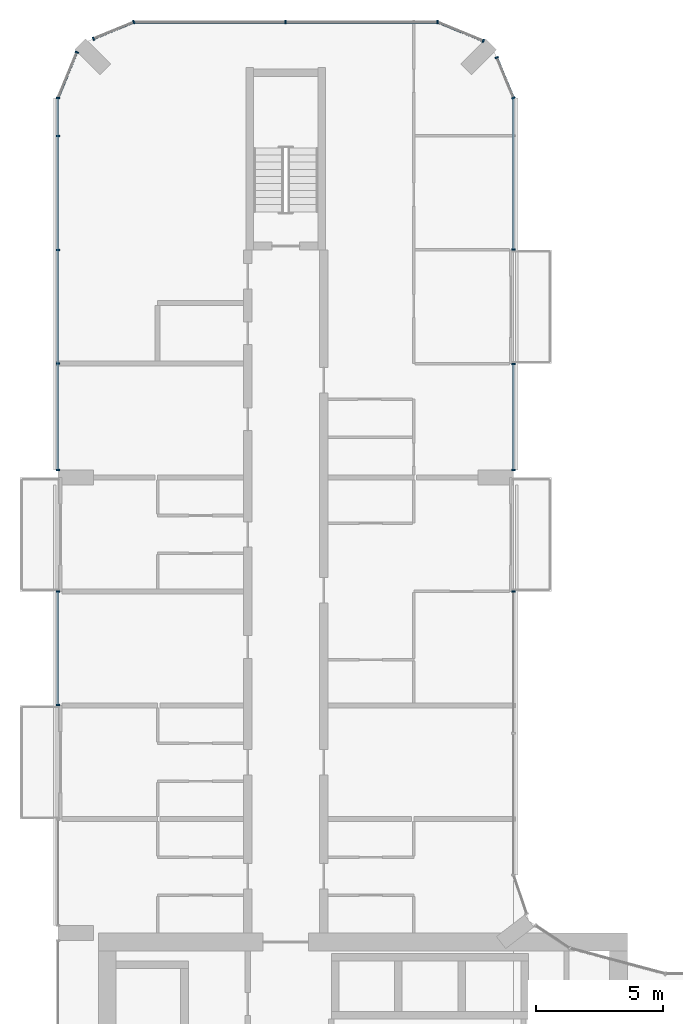
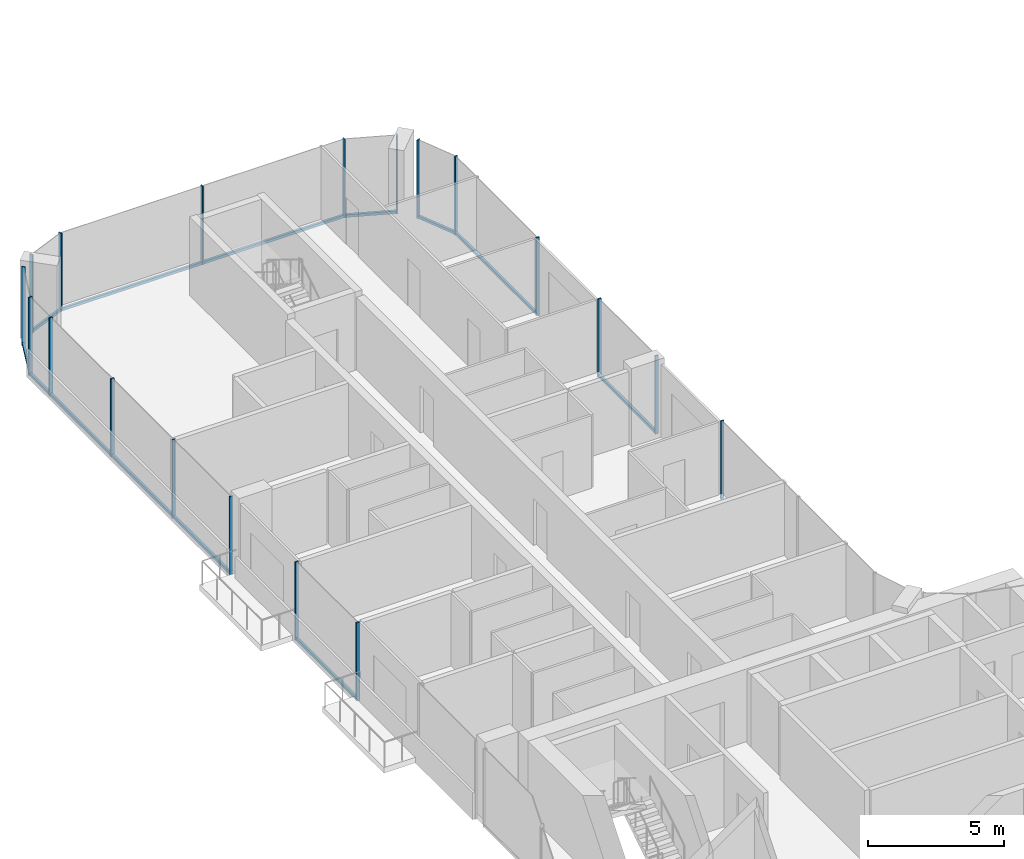
# One storey, part 6 of 23: 28 members, 10 elements without a shape of their own.
"""IFC4 building model written with IfcOpenShell, lengths in metres."""

from ifc_helpers import new_model, si_unit, direction, frame, origin, origin_2d, place, context, subcontext, project, spatial, rectangle, extrude, material, layer, layer_set, material_profile, profile_set, type_object, element, aggregate, save


model = new_model("IFC4")

# Units and contexts
model_context = context("Model", 3, precision=1e-05, world=origin(), true_north=direction((0.0, 1.0)))
body_context = subcontext(model_context, "Body", "Model", "MODEL_VIEW")
ifc_project = project(units=[si_unit("LENGTHUNIT", "METRE"), si_unit("AREAUNIT", "SQUARE_METRE"), si_unit("VOLUMEUNIT", "CUBIC_METRE"), si_unit("PLANEANGLEUNIT", "RADIAN"), si_unit("MASSUNIT", "GRAM", prefix="KILO")], contexts=[model_context])

# Site, building, storey
site_placement = place(None, origin())
site = spatial("IfcSite", under=ifc_project, at=site_placement, CompositionType="ELEMENT")
building_placement = place(site_placement, origin())
building = spatial("IfcBuilding", under=site, at=building_placement, Name="Plateau Cross Towers", CompositionType="ELEMENT")
storey_placement = place(building_placement, frame((0.0, 0.0, 92.300048828125)))
storey = spatial("IfcBuildingStorey", under=building, at=storey_placement, Name="L23", CompositionType="ELEMENT", Elevation=92.300048828125)

# Curtain wall, member
ifc_material_1 = material(Name="Dark low-iron glass", Category="glass")
ifc_layer = layer(ifc_material_1, 0.239990234375)
ifc_layer_set = layer_set([ifc_layer], Name="Dark low-iron glass")
curtain_wall_type = type_object("IfcCurtainWallType", Name="Curtain wall flush unitised CW-B", PredefinedType="NOTDEFINED", material=ifc_layer_set)
curtain_wall_1_placement = place(storey_placement, origin())
curtain_wall_1 = element("IfcCurtainWall", 1, at=curtain_wall_1_placement, inside=storey, type_object=curtain_wall_type, Name="ENV/A/L23/A180_203", PredefinedType="NOTDEFINED")
ifc_material_2 = material(Name="Black anodised aluminium", Category="aluminium")
ifc_material_profile_1 = material_profile(ifc_material_2, rectangle(XDim=0.06005859375, YDim=0.139892578125, at=origin_2d()), Name="MULLION 60x140")
ifc_profile_set_1 = profile_set([ifc_material_profile_1], Name="Black anodised aluminium")
member_type_1 = type_object("IfcMemberType", Name="Mullion 60x140 flush unitised", PredefinedType="MULLION", material=ifc_profile_set_1)
member_1_placement = place(storey_placement, frame((18.0, 31.489990234375, -0.25), z_axis=(0.0, 0.0, 1.0), x_axis=(0.0, 1.0, 0.0)))
member_1 = element("IfcMember", 2, at=member_1_placement, type_object=member_type_1, Name="CW-B mullion 3", PredefinedType="MULLION", context=body_context, shape_type="SweptSolid", body=[
    extrude(rectangle(XDim=0.06005859375, YDim=0.139892578125, at=origin_2d()), origin(), (0.0, 0.0, 1.0), 3.5),
])
aggregate(curtain_wall_1, [member_1])

# Curtain wall, members
curtain_wall_2_placement = place(storey_placement, origin())
curtain_wall_2 = element("IfcCurtainWall", 3, at=curtain_wall_2_placement, inside=storey, type_object=curtain_wall_type, Name="ENV/A/L23/A180_363", PredefinedType="NOTDEFINED")
member_2_placement = place(storey_placement, frame((18.0, 36.300048828125, -0.25), z_axis=(0.0, 0.0, 1.0), x_axis=(0.0, 1.0, 0.0)))
member_2 = element("IfcMember", 4, at=member_2_placement, type_object=member_type_1, Name="CW-B mullion 1", PredefinedType="MULLION", context=body_context, shape_type="SweptSolid", body=[
    extrude(rectangle(XDim=0.06005859375, YDim=0.139892578125, at=origin_2d()), origin(), (0.0, 0.0, 1.0), 3.5),
])
member_3_placement = place(storey_placement, frame((18.0, 40.489990234375, -0.25), z_axis=(0.0, 0.0, 1.0), x_axis=(0.0, 1.0, 0.0)))
member_3 = element("IfcMember", 5, at=member_3_placement, type_object=member_type_1, Name="CW-B mullion 2", PredefinedType="MULLION", context=body_context, shape_type="SweptSolid", body=[
    extrude(rectangle(XDim=0.06005859375, YDim=0.139892578125, at=origin_2d()), origin(), (0.0, 0.0, 1.0), 3.5),
])

# Curtain wall, member
curtain_wall_3_placement = place(storey_placement, origin())
curtain_wall_3 = element("IfcCurtainWall", 6, at=curtain_wall_3_placement, inside=storey, type_object=curtain_wall_type, Name="ENV/A/L23/A180_450", PredefinedType="NOTDEFINED")
member_4_placement = place(storey_placement, frame((18.0, 45.010009765625, -0.25), z_axis=(0.0, 0.0, 1.0), x_axis=(0.0, 1.0, 0.0)))
member_4 = element("IfcMember", 7, at=member_4_placement, type_object=member_type_1, Name="CW-B mullion 1", PredefinedType="MULLION", context=body_context, shape_type="SweptSolid", body=[
    extrude(rectangle(XDim=0.06005859375, YDim=0.139892578125, at=origin_2d()), origin(), (0.0, 0.0, 1.0), 3.5),
])

# Curtain wall, members
curtain_wall_4_placement = place(storey_placement, origin())
curtain_wall_4 = element("IfcCurtainWall", 8, at=curtain_wall_4_placement, inside=storey, type_object=curtain_wall_type, Name="ENV/A/L23/A180_510", PredefinedType="NOTDEFINED")
member_5_placement = place(storey_placement, frame((18.0, 51.0, -0.25), z_axis=(0.0, 0.0, 1.0), x_axis=(-0.382683612978, 0.923879457699, 0.0)))
member_5 = element("IfcMember", 9, at=member_5_placement, type_object=member_type_1, Name="CW-B mullion 1", PredefinedType="MULLION", context=body_context, shape_type="SweptSolid", body=[
    extrude(rectangle(XDim=0.06005859375, YDim=0.139892578125, at=origin_2d()), origin(), (0.0, 0.0, 1.0), 3.5),
])
member_6_placement = place(storey_placement, frame((17.338623046875, 52.5966796875, -0.25), z_axis=(0.0, 0.0, 1.0), x_axis=(-0.382683612978, 0.923879457699, 0.0)))
member_6 = element("IfcMember", 10, at=member_6_placement, type_object=member_type_1, Name="CW-B mullion 2", PredefinedType="MULLION", context=body_context, shape_type="SweptSolid", body=[
    extrude(rectangle(XDim=0.06005859375, YDim=0.139892578125, at=origin_2d()), origin(), (0.0, 0.0, 1.0), 3.5),
])

# Curtain wall, member
curtain_wall_5_placement = place(storey_placement, origin())
curtain_wall_5 = element("IfcCurtainWall", 11, at=curtain_wall_5_placement, inside=storey, type_object=curtain_wall_type, Name="ENV/A/L23/A168_533", PredefinedType="NOTDEFINED")
member_7_placement = place(storey_placement, frame((16.805908203125, 53.251953125, -0.25), z_axis=(0.0, 0.0, 1.0), x_axis=(-0.923879457699, 0.382683612978, 0.0)))
member_7 = element("IfcMember", 12, at=member_7_placement, type_object=member_type_1, Name="CW-B mullion 1", PredefinedType="MULLION", context=body_context, shape_type="SweptSolid", body=[
    extrude(rectangle(XDim=0.06005859375, YDim=0.139892578125, at=origin_2d()), origin(), (0.0, 0.0, 1.0), 3.5),
])

# Curtain wall, members
curtain_wall_6_placement = place(storey_placement, origin())
curtain_wall_6 = element("IfcCurtainWall", 13, at=curtain_wall_6_placement, inside=storey, type_object=curtain_wall_type, Name="ENV/A/L23/A150_540", PredefinedType="NOTDEFINED")
member_8_placement = place(storey_placement, frame((15.0, 54.0, -0.25), z_axis=(0.0, 0.0, 1.0), x_axis=(-1.0, 0.0, 0.0)))
member_8 = element("IfcMember", 14, at=member_8_placement, type_object=member_type_1, Name="CW-B mullion 1", PredefinedType="MULLION", context=body_context, shape_type="SweptSolid", body=[
    extrude(rectangle(XDim=0.06005859375, YDim=0.139892578125, at=origin_2d()), origin(), (0.0, 0.0, 1.0), 3.5),
])
member_9_placement = place(storey_placement, frame((9.0, 54.0, -0.25), z_axis=(0.0, 0.0, 1.0), x_axis=(-1.0, 0.0, 0.0)))
member_9 = element("IfcMember", 15, at=member_9_placement, type_object=member_type_1, Name="CW-B mullion 2", PredefinedType="MULLION", context=body_context, shape_type="SweptSolid", body=[
    extrude(rectangle(XDim=0.06005859375, YDim=0.139892578125, at=origin_2d()), origin(), (0.0, 0.0, 1.0), 3.5),
])

curtain_wall_7_placement = place(storey_placement, origin())
curtain_wall_7 = element("IfcCurtainWall", 16, at=curtain_wall_7_placement, inside=storey, type_object=curtain_wall_type, Name="ENV/A/L23/A30_540", PredefinedType="NOTDEFINED")
member_10_placement = place(storey_placement, frame((3.0, 54.0, -0.25), z_axis=(0.0, 0.0, 1.0), x_axis=(-0.923879457699, -0.382683612978, 0.0)))
member_10 = element("IfcMember", 17, at=member_10_placement, type_object=member_type_1, Name="CW-B mullion 1", PredefinedType="MULLION", context=body_context, shape_type="SweptSolid", body=[
    extrude(rectangle(XDim=0.06005859375, YDim=0.139892578125, at=origin_2d()), origin(), (0.0, 0.0, 1.0), 3.5),
])
member_11_placement = place(storey_placement, frame((1.4033203125, 53.338623046875, -0.25), z_axis=(0.0, 0.0, 1.0), x_axis=(-0.923879457699, -0.382683612978, 0.0)))
member_11 = element("IfcMember", 18, at=member_11_placement, type_object=member_type_1, Name="CW-B mullion 2", PredefinedType="MULLION", context=body_context, shape_type="SweptSolid", body=[
    extrude(rectangle(XDim=0.06005859375, YDim=0.139892578125, at=origin_2d()), origin(), (0.0, 0.0, 1.0), 3.5),
])

# Curtain wall, member
curtain_wall_8_placement = place(storey_placement, origin())
curtain_wall_8 = element("IfcCurtainWall", 19, at=curtain_wall_8_placement, inside=storey, type_object=curtain_wall_type, Name="ENV/A/L23/A7_528", PredefinedType="NOTDEFINED")
member_12_placement = place(storey_placement, frame((0.748046875, 52.805908203125, -0.25), z_axis=(0.0, 0.0, 1.0), x_axis=(-0.382683612978, -0.923879457699, 0.0)))
member_12 = element("IfcMember", 20, at=member_12_placement, type_object=member_type_1, Name="CW-B mullion 1", PredefinedType="MULLION", context=body_context, shape_type="SweptSolid", body=[
    extrude(rectangle(XDim=0.06005859375, YDim=0.139892578125, at=origin_2d()), origin(), (0.0, 0.0, 1.0), 3.5),
])

# Curtain wall, members
curtain_wall_9_placement = place(storey_placement, origin())
curtain_wall_9 = element("IfcCurtainWall", 21, at=curtain_wall_9_placement, inside=storey, type_object=curtain_wall_type, Name="ENV/A/L23/A0_510", PredefinedType="NOTDEFINED")
member_13_placement = place(storey_placement, frame((0.0, 51.0, -0.25), z_axis=(0.0, 0.0, 1.0), x_axis=(0.0, -1.0, 0.0)))
member_13 = element("IfcMember", 22, at=member_13_placement, type_object=member_type_1, Name="CW-B mullion 1", PredefinedType="MULLION", context=body_context, shape_type="SweptSolid", body=[
    extrude(rectangle(XDim=0.06005859375, YDim=0.139892578125, at=origin_2d()), origin(), (0.0, 0.0, 1.0), 3.5),
])
member_14_placement = place(storey_placement, frame((0.0, 49.5, -0.25), z_axis=(0.0, 0.0, 1.0), x_axis=(0.0, -1.0, 0.0)))
member_14 = element("IfcMember", 23, at=member_14_placement, type_object=member_type_1, Name="CW-B mullion 2", PredefinedType="MULLION", context=body_context, shape_type="SweptSolid", body=[
    extrude(rectangle(XDim=0.06005859375, YDim=0.139892578125, at=origin_2d()), origin(), (0.0, 0.0, 1.0), 3.5),
])
member_15_placement = place(storey_placement, frame((0.0, 45.0, -0.25), z_axis=(0.0, 0.0, 1.0), x_axis=(0.0, -1.0, 0.0)))
member_15 = element("IfcMember", 24, at=member_15_placement, type_object=member_type_1, Name="CW-B mullion 3", PredefinedType="MULLION", context=body_context, shape_type="SweptSolid", body=[
    extrude(rectangle(XDim=0.06005859375, YDim=0.139892578125, at=origin_2d()), origin(), (0.0, 0.0, 1.0), 3.5),
])
member_16_placement = place(storey_placement, frame((0.0, 40.5, -0.25), z_axis=(0.0, 0.0, 1.0), x_axis=(0.0, -1.0, 0.0)))
member_16 = element("IfcMember", 25, at=member_16_placement, type_object=member_type_1, Name="CW-B mullion 4", PredefinedType="MULLION", context=body_context, shape_type="SweptSolid", body=[
    extrude(rectangle(XDim=0.06005859375, YDim=0.139892578125, at=origin_2d()), origin(), (0.0, 0.0, 1.0), 3.5),
])
member_17_placement = place(storey_placement, frame((0.0, 36.300048828125, -0.25), z_axis=(0.0, 0.0, 1.0), x_axis=(0.0, -1.0, 0.0)))
member_17 = element("IfcMember", 26, at=member_17_placement, type_object=member_type_1, Name="CW-B mullion 5", PredefinedType="MULLION", context=body_context, shape_type="SweptSolid", body=[
    extrude(rectangle(XDim=0.06005859375, YDim=0.139892578125, at=origin_2d()), origin(), (0.0, 0.0, 1.0), 3.5),
])

curtain_wall_10_placement = place(storey_placement, origin())
curtain_wall_10 = element("IfcCurtainWall", 27, at=curtain_wall_10_placement, inside=storey, type_object=curtain_wall_type, Name="ENV/A/L23/A0_315", PredefinedType="NOTDEFINED")
member_18_placement = place(storey_placement, frame((0.0, 31.489990234375, -0.25), z_axis=(0.0, 0.0, 1.0), x_axis=(0.0, -1.0, 0.0)))
member_18 = element("IfcMember", 28, at=member_18_placement, type_object=member_type_1, Name="CW-B mullion 1", PredefinedType="MULLION", context=body_context, shape_type="SweptSolid", body=[
    extrude(rectangle(XDim=0.06005859375, YDim=0.139892578125, at=origin_2d()), origin(), (0.0, 0.0, 1.0), 3.5),
])
member_19_placement = place(storey_placement, frame((0.0, 27.010009765625, -0.25), z_axis=(0.0, 0.0, 1.0), x_axis=(0.0, -1.0, 0.0)))
member_19 = element("IfcMember", 29, at=member_19_placement, type_object=member_type_1, Name="CW-B mullion 2", PredefinedType="MULLION", context=body_context, shape_type="SweptSolid", body=[
    extrude(rectangle(XDim=0.06005859375, YDim=0.139892578125, at=origin_2d()), origin(), (0.0, 0.0, 1.0), 3.5),
])

# Member
ifc_material_profile_2 = material_profile(ifc_material_2, rectangle(XDim=0.10009765625, YDim=0.1201171875, at=origin_2d()), Name="TRANSOM 100x120")
ifc_profile_set_2 = profile_set([ifc_material_profile_2], Name="Black anodised aluminium")
member_type_2 = type_object("IfcMemberType", Name="Transom 100x120 flush unitised", PredefinedType="USERDEFINED", material=ifc_profile_set_2)
member_20_placement = place(storey_placement, frame((18.0, 36.300048828125, -0.18994140625), z_axis=(0.0, 1.0, 0.0), x_axis=(-1.0, 0.0, 0.0)))
member_20 = element("IfcMember", 30, at=member_20_placement, type_object=member_type_2, Name="CW-B transom", ObjectType="TRANSOM", PredefinedType="USERDEFINED", context=body_context, shape_type="SweptSolid", body=[
    extrude(rectangle(XDim=0.10009765625, YDim=0.1201171875, at=origin_2d()), origin(), (0.0, 0.0, 1.0), 4.18994140625),
])

aggregate(curtain_wall_2, [member_2, member_3, member_20])

member_21_placement = place(storey_placement, frame((18.0, 45.010009765625, -0.18994140625), z_axis=(0.0, 1.0, 0.0), x_axis=(-1.0, 0.0, 0.0)))
member_21 = element("IfcMember", 31, at=member_21_placement, type_object=member_type_2, Name="CW-B transom", ObjectType="TRANSOM", PredefinedType="USERDEFINED", context=body_context, shape_type="SweptSolid", body=[
    extrude(rectangle(XDim=0.10009765625, YDim=0.1201171875, at=origin_2d()), origin(), (0.0, 0.0, 1.0), 5.989990234375),
])

aggregate(curtain_wall_3, [member_4, member_21])

member_22_placement = place(storey_placement, frame((18.0, 51.0, -0.18994140625), z_axis=(-0.382688653628, 0.923877369776, 0.0), x_axis=(-0.923877369776, -0.382688653628, 0.0)))
member_22 = element("IfcMember", 32, at=member_22_placement, type_object=member_type_2, Name="CW-B transom", ObjectType="TRANSOM", PredefinedType="USERDEFINED", context=body_context, shape_type="SweptSolid", body=[
    extrude(rectangle(XDim=0.10009765625, YDim=0.1201171875, at=origin_2d()), origin(), (0.0, 0.0, 1.0), 1.728271484375),
])

aggregate(curtain_wall_4, [member_5, member_6, member_22])

member_23_placement = place(storey_placement, frame((16.805908203125, 53.251953125, -0.18994140625), z_axis=(-0.92387678234, 0.382690071798, 0.0), x_axis=(-0.382690071798, -0.92387678234, 0.0)))
member_23 = element("IfcMember", 33, at=member_23_placement, type_object=member_type_2, Name="CW-B transom", ObjectType="TRANSOM", PredefinedType="USERDEFINED", context=body_context, shape_type="SweptSolid", body=[
    extrude(rectangle(XDim=0.10009765625, YDim=0.1201171875, at=origin_2d()), origin(), (0.0, 0.0, 1.0), 1.95458984375),
])

aggregate(curtain_wall_5, [member_7, member_23])

member_24_placement = place(storey_placement, frame((15.0, 54.0, -0.18994140625), z_axis=(-1.0, 0.0, 0.0), x_axis=(0.0, -1.0, 0.0)))
member_24 = element("IfcMember", 34, at=member_24_placement, type_object=member_type_2, Name="CW-B transom", ObjectType="TRANSOM", PredefinedType="USERDEFINED", context=body_context, shape_type="SweptSolid", body=[
    extrude(rectangle(XDim=0.10009765625, YDim=0.1201171875, at=origin_2d()), origin(), (0.0, 0.0, 1.0), 12.0),
])

aggregate(curtain_wall_6, [member_8, member_9, member_24])

member_25_placement = place(storey_placement, frame((3.0, 54.0, -0.18994140625), z_axis=(-0.923877369776, -0.382688653628, 0.0), x_axis=(0.382688653628, -0.923877369776, 0.0)))
member_25 = element("IfcMember", 35, at=member_25_placement, type_object=member_type_2, Name="CW-B transom", ObjectType="TRANSOM", PredefinedType="USERDEFINED", context=body_context, shape_type="SweptSolid", body=[
    extrude(rectangle(XDim=0.10009765625, YDim=0.1201171875, at=origin_2d()), origin(), (0.0, 0.0, 1.0), 1.728271484375),
])

aggregate(curtain_wall_7, [member_10, member_11, member_25])

member_26_placement = place(storey_placement, frame((0.748046875, 52.805908203125, -0.18994140625), z_axis=(-0.382690071798, -0.92387678234, 0.0), x_axis=(0.92387678234, -0.382690071798, 0.0)))
member_26 = element("IfcMember", 36, at=member_26_placement, type_object=member_type_2, Name="CW-B transom", ObjectType="TRANSOM", PredefinedType="USERDEFINED", context=body_context, shape_type="SweptSolid", body=[
    extrude(rectangle(XDim=0.10009765625, YDim=0.1201171875, at=origin_2d()), origin(), (0.0, 0.0, 1.0), 1.95458984375),
])

aggregate(curtain_wall_8, [member_12, member_26])

member_27_placement = place(storey_placement, frame((0.0, 51.0, -0.18994140625), z_axis=(0.0, -1.0, 0.0), x_axis=(1.0, 0.0, 0.0)))
member_27 = element("IfcMember", 37, at=member_27_placement, type_object=member_type_2, Name="CW-B transom", ObjectType="TRANSOM", PredefinedType="USERDEFINED", context=body_context, shape_type="SweptSolid", body=[
    extrude(rectangle(XDim=0.10009765625, YDim=0.1201171875, at=origin_2d()), origin(), (0.0, 0.0, 1.0), 14.699951171875),
])

aggregate(curtain_wall_9, [member_13, member_14, member_15, member_16, member_17, member_27])

member_28_placement = place(storey_placement, frame((0.0, 31.489990234375, -0.18994140625), z_axis=(0.0, -1.0, 0.0), x_axis=(1.0, 0.0, 0.0)))
member_28 = element("IfcMember", 38, at=member_28_placement, type_object=member_type_2, Name="CW-B transom", ObjectType="TRANSOM", PredefinedType="USERDEFINED", context=body_context, shape_type="SweptSolid", body=[
    extrude(rectangle(XDim=0.10009765625, YDim=0.1201171875, at=origin_2d()), origin(), (0.0, 0.0, 1.0), 4.47998046875),
])

aggregate(curtain_wall_10, [member_18, member_19, member_28])

save(model, "model.ifc")
